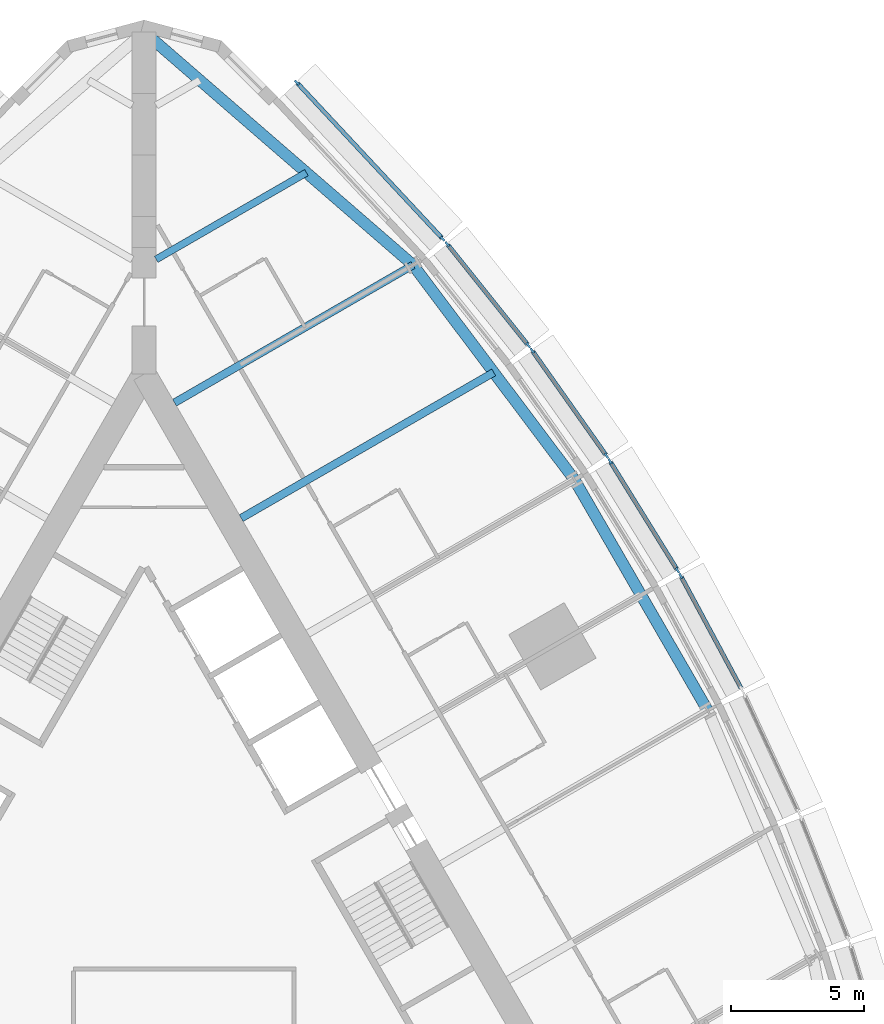
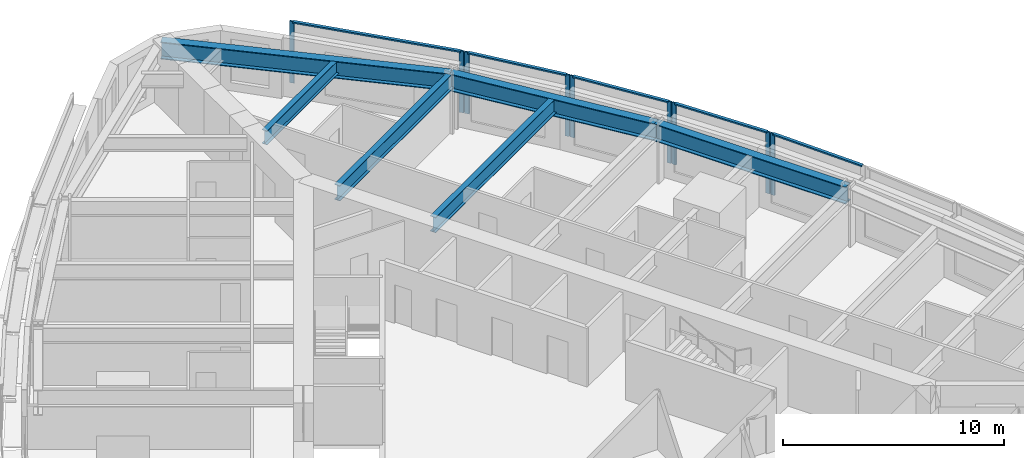
# One storey, part 5 of 14: 14 members, 6 beams, 5 elements without a shape of their own.
"""IFC4 building model written with IfcOpenShell, lengths in metres."""

import ifcopenshell
import ifcopenshell.guid

model = None  # the IFC model being written
_history = None  # IfcOwnerHistory: only IFC2X3 demands one
_inside = {}  # id of a spatial element -> (the spatial element, [elements in it])
_under = {}  # id of a project, library or spatial element -> (it, [spatial elements below it])
_declared = {}  # id of a project -> (the project, [libraries it declares])
_typed = {}  # id of a type object -> (the type object, [elements of that type])
_made_of = {}  # id of a material, layer set ... -> (it, [elements and type objects made of it])


def new_model(schema):
    """Start an empty IFC model of exactly this schema.

    Asked for "IFC4X3", IfcOpenShell would pick the latest addendum, in which some entities
    have other attributes; the version numbers below select the first issue.
    IFC2X3 requires an IfcOwnerHistory on every rooted entity: one is made here for all.
    """
    global model, _history
    if schema == "IFC4X3":
        model = ifcopenshell.file(schema_version=(4, 3, 0, 0))
    else:
        model = ifcopenshell.file(schema=schema)
    _inside.clear()
    _under.clear()
    _declared.clear()
    _typed.clear()
    _made_of.clear()
    _history = None
    if model.schema == "IFC2X3":
        org = make("IfcOrganization", Name="unknown")
        user = make(
            "IfcPersonAndOrganization",
            ThePerson=make("IfcPerson", FamilyName="unknown"),
            TheOrganization=org,
        )
        app = make(
            "IfcApplication",
            ApplicationDeveloper=org,
            Version="unknown",
            ApplicationFullName="unknown",
            ApplicationIdentifier="unknown",
        )
        _history = make(
            "IfcOwnerHistory",
            OwningUser=user,
            OwningApplication=app,
            ChangeAction="ADDED",
            CreationDate=0,
        )
    return model


def make(cls, **values):
    """One entity of the class cls with the attributes given. An attribute that is None is left unset."""
    return model.create_entity(
        cls, **{name: value for name, value in values.items() if value is not None}
    )


def rooted(cls, **values):
    """An entity with a GlobalId (a new one), such as an element, a storey or a relation."""
    return make(cls, GlobalId=ifcopenshell.guid.new(), OwnerHistory=_history, **values)


def si_unit(unit_type, name, prefix=None):
    """IfcSIUnit, for example si_unit("LENGTHUNIT", "METRE", prefix="MILLI")."""
    return make("IfcSIUnit", UnitType=unit_type, Prefix=prefix, Name=name)


def assignment(units):
    """IfcUnitAssignment: the units of a project."""
    return None if units is None else make("IfcUnitAssignment", Units=units)


def point(xyz):
    """IfcCartesianPoint."""
    return None if xyz is None else make("IfcCartesianPoint", Coordinates=xyz)


def direction(xyz):
    """IfcDirection."""
    return None if xyz is None else make("IfcDirection", DirectionRatios=xyz)


def frame(location, z_axis=None, x_axis=None):
    """IfcAxis2Placement3D, a coordinate frame: its origin and axes. An axis left out is left unset."""
    return make(
        "IfcAxis2Placement3D",
        Location=point(location),
        Axis=direction(z_axis),
        RefDirection=direction(x_axis),
    )


def frame_2d(location, x_axis=None):
    """IfcAxis2Placement2D, a coordinate frame in the plane: its origin and x axis."""
    return make(
        "IfcAxis2Placement2D", Location=point(location), RefDirection=direction(x_axis)
    )


def origin():
    """The frame at (0, 0, 0) with its axes left unset."""
    return frame((0.0, 0.0, 0.0))


def origin_2d():
    """The frame at (0, 0) in the plane with its x axis left unset."""
    return frame_2d((0.0, 0.0))


def place(relative_to, where):
    """IfcLocalPlacement: puts the frame where relative to a parent placement (None: the world)."""
    return make(
        "IfcLocalPlacement", PlacementRelTo=relative_to, RelativePlacement=where
    )


def context(
    kind, dimensions, precision=None, world=None, true_north=None, identifier=None
):
    """IfcGeometricRepresentationContext, for example the 3D "Model" context."""
    return make(
        "IfcGeometricRepresentationContext",
        ContextIdentifier=identifier,
        ContextType=kind,
        CoordinateSpaceDimension=dimensions,
        Precision=precision,
        WorldCoordinateSystem=world,
        TrueNorth=true_north,
    )


def subcontext(parent, identifier, kind, view, scale=None):
    """IfcGeometricRepresentationSubContext, for example "Body" below "Model"."""
    return make(
        "IfcGeometricRepresentationSubContext",
        ContextIdentifier=identifier,
        ContextType=kind,
        ParentContext=parent,
        TargetScale=scale,
        TargetView=view,
    )


def project(units=None, contexts=None):
    """IfcProject with its units and contexts."""
    return rooted(
        "IfcProject",
        Name="project",
        RepresentationContexts=contexts,
        UnitsInContext=assignment(units),
    )


def spatial(cls, under=None, at=None, **own):
    """A site, building, storey or space (cls), placed at a placement, below another one or the project."""
    s = rooted(cls, ObjectPlacement=at, **own)
    if under is not None:
        _under.setdefault(under.id(), (under, []))[1].append(s)
    return s


def profile(cls, at=None, kind="AREA", **sizes):
    """A parametric profile (cls). Its sizes go by their IFC names, for example OverallWidth=200.0."""
    return make(cls, ProfileType=kind, Position=at, **sizes)


def rectangle(**sizes):
    """IfcRectangleProfileDef."""
    return profile("IfcRectangleProfileDef", **sizes)


def i_section(**sizes):
    """IfcIShapeProfileDef."""
    return profile("IfcIShapeProfileDef", **sizes)


def extrude(swept, where, along, depth):
    """IfcExtrudedAreaSolid: the profile swept, set in the frame where, extruded along a direction by depth."""
    return make(
        "IfcExtrudedAreaSolid",
        SweptArea=swept,
        Position=where,
        ExtrudedDirection=direction(along),
        Depth=depth,
    )


def shape(context_of_items, identifier, shape_type, items):
    """IfcShapeRepresentation: the items that make up one representation, for example the "Body"."""
    return make(
        "IfcShapeRepresentation",
        ContextOfItems=context_of_items,
        RepresentationIdentifier=identifier,
        RepresentationType=shape_type,
        Items=items,
    )


def material(Name=None, Category=None):
    """IfcMaterial."""
    return make("IfcMaterial", Name=Name, Category=Category)


def material_profile(
    of_material, cross_section, Name=None, Category=None, Priority=None
):
    """IfcMaterialProfile: a cross section and its material."""
    return make(
        "IfcMaterialProfile",
        Name=Name,
        Material=of_material,
        Profile=cross_section,
        Priority=Priority,
        Category=Category,
    )


def profile_set(profiles, Name=None, composite=None):
    """IfcMaterialProfileSet."""
    return make(
        "IfcMaterialProfileSet",
        Name=Name,
        MaterialProfiles=profiles,
        CompositeProfile=composite,
    )


def made_of(thing, what):
    """Note that an element or type object is made of a material, layer set ...; save() writes the relation."""
    if what is not None:
        _made_of.setdefault(what.id(), (what, []))[1].append(thing)
    return thing


def type_object(cls, material=None, **own):
    """A type object (cls), such as IfcWallType, which elements share."""
    return made_of(rooted(cls, **own), material)


def element(
    cls,
    number,
    at=None,
    inside=None,
    cuts=None,
    type_object=None,
    material=None,
    context=None,
    identifier="Body",
    shape_type=None,
    held_by="IfcProductDefinitionShape",
    body=None,
    shapes=None,
    **own,
):
    """One element of the class cls, such as IfcWall. Its Tag is "e" and its number.

    at: its placement. inside: the storey or other place that contains it. cuts: it is an
    opening in that element (IfcRelVoidsElement). A single representation is given by context,
    identifier, shape_type and body (its items); several are given by shapes. held_by: the class
    of the entity that holds the representations. save() writes the other relations.
    """
    e = rooted(cls, Tag="e%d" % number, ObjectPlacement=at, **own)
    if body is not None:
        shapes = [shape(context, identifier, shape_type, body)]
    if shapes is not None:
        e.Representation = make(held_by, Representations=shapes)
    if inside is not None:
        _inside.setdefault(inside.id(), (inside, []))[1].append(e)
    if cuts is not None:
        rooted(
            "IfcRelVoidsElement", RelatingBuildingElement=cuts, RelatedOpeningElement=e
        )
    if type_object is not None:
        _typed.setdefault(type_object.id(), (type_object, []))[1].append(e)
    return made_of(e, material)


def aggregate(whole, parts):
    """IfcRelAggregates: a whole, such as a stair, and the parts it consists of."""
    return rooted("IfcRelAggregates", RelatingObject=whole, RelatedObjects=parts)


def save(model, path):
    """Write the relations noted so far, then the file.

    IfcRelAggregates (storeys below a building ...), IfcRelContainedInSpatialStructure (elements
    in a storey), IfcRelDefinesByType, IfcRelAssociatesMaterial and IfcRelDeclares: one each for
    every whole, place, type object, material and project.
    """
    for whole, parts in _under.values():
        aggregate(whole, parts)
    for where, things in _inside.values():
        rooted(
            "IfcRelContainedInSpatialStructure",
            RelatedElements=things,
            RelatingStructure=where,
        )
    for kind, things in _typed.values():
        rooted("IfcRelDefinesByType", RelatedObjects=things, RelatingType=kind)
    for what, things in _made_of.values():
        rooted("IfcRelAssociatesMaterial", RelatedObjects=things, RelatingMaterial=what)
    for by, libraries in _declared.values():
        rooted("IfcRelDeclares", RelatingContext=by, RelatedDefinitions=libraries)
    model.write(path)


model = new_model("IFC4")

# Units and contexts
model_context = context("Model", 3, precision=1e-05, world=origin(), true_north=direction((0.0, 1.0)))
body_context = subcontext(model_context, "Body", "Model", "MODEL_VIEW")
ifc_project = project(units=[si_unit("LENGTHUNIT", "METRE"), si_unit("AREAUNIT", "SQUARE_METRE"), si_unit("VOLUMEUNIT", "CUBIC_METRE"), si_unit("PLANEANGLEUNIT", "RADIAN"), si_unit("MASSUNIT", "GRAM", prefix="KILO")], contexts=[model_context])

# Site, building, storey
site_placement = place(None, origin())
site = spatial("IfcSite", under=ifc_project, at=site_placement, CompositionType="ELEMENT")
building_placement = place(site_placement, origin())
building = spatial("IfcBuilding", under=site, at=building_placement, Name="Trikona Tower", CompositionType="ELEMENT")
storey_placement = place(building_placement, frame((0.0, 0.0, 79.5)))
storey = spatial("IfcBuildingStorey", under=building, at=storey_placement, Name="L20", CompositionType="ELEMENT", Elevation=79.5)

# Curtain wall, member
ifc_material_1 = material(Name="Aluminium curtain wall system", Category="aluminium")
curtain_wall_type = type_object("IfcCurtainWallType", Name="Curtain wall DS1", PredefinedType="NOTDEFINED", material=ifc_material_1)
curtain_wall_1_placement = place(storey_placement, origin())
curtain_wall_1 = element("IfcCurtainWall", 1, at=curtain_wall_1_placement, inside=storey, type_object=curtain_wall_type, Name="Curtain wall DS1 L20", PredefinedType="NOTDEFINED")
ifc_material_2 = material(Name="Aluminium mullion, pale anodised", Category="aluminium")
ifc_material_profile_1 = material_profile(ifc_material_2, rectangle(XDim=0.080078125, YDim=0.219970703125, at=origin_2d()), Name="MUL-DS1")
ifc_profile_set_1 = profile_set([ifc_material_profile_1], Name="Aluminium mullion, pale anodised")
member_type_1 = type_object("IfcMemberType", Name="Mullion DS1 80x220", PredefinedType="MULLION", material=ifc_profile_set_1)
member_1_placement = place(storey_placement, frame((20.128662109375, 11.474365234375, 0.0), z_axis=(0.0, 0.0, 1.0), x_axis=(-0.880843080975, -0.473408350896, 0.0)))
member_1 = element("IfcMember", 2, at=member_1_placement, type_object=member_type_1, Name="CW-DS1 mullion 2", PredefinedType="MULLION", context=body_context, shape_type="SweptSolid", body=[
    extrude(rectangle(XDim=0.080078125, YDim=0.219970703125, at=origin_2d()), origin(), (0.0, 0.0, 1.0), 3.39990234375),
])

# Curtain wall, members
curtain_wall_2_placement = place(storey_placement, origin())
curtain_wall_2 = element("IfcCurtainWall", 3, at=curtain_wall_2_placement, inside=storey, type_object=curtain_wall_type, Name="Curtain wall DS1 L20", PredefinedType="NOTDEFINED")
member_2_placement = place(storey_placement, frame((20.00146484375, 11.69482421875, 0.0), z_axis=(0.0, 0.0, 1.0), x_axis=(-0.850410468941, -0.526119790842, 0.0)))
member_2 = element("IfcMember", 4, at=member_2_placement, type_object=member_type_1, Name="CW-DS1 mullion 1", PredefinedType="MULLION", context=body_context, shape_type="SweptSolid", body=[
    extrude(rectangle(XDim=0.080078125, YDim=0.219970703125, at=origin_2d()), origin(), (0.0, 0.0, 1.0), 3.39990234375),
])
member_3_placement = place(storey_placement, frame((17.474853515625, 15.77880859375, 0.0), z_axis=(0.0, 0.0, 1.0), x_axis=(-0.850410468941, -0.526119790842, 0.0)))
member_3 = element("IfcMember", 5, at=member_3_placement, type_object=member_type_1, Name="CW-DS1 mullion 2", PredefinedType="MULLION", context=body_context, shape_type="SweptSolid", body=[
    extrude(rectangle(XDim=0.080078125, YDim=0.219970703125, at=origin_2d()), origin(), (0.0, 0.0, 1.0), 3.39990234375),
])

curtain_wall_3_placement = place(storey_placement, origin())
curtain_wall_3 = element("IfcCurtainWall", 6, at=curtain_wall_3_placement, inside=storey, type_object=curtain_wall_type, Name="Curtain wall DS1 L20", PredefinedType="NOTDEFINED")
member_4_placement = place(storey_placement, frame((17.33447265625, 15.990966796875, 0.0), z_axis=(0.0, 0.0, 1.0), x_axis=(-0.816985393055, -0.576658362928, 0.0)))
member_4 = element("IfcMember", 7, at=member_4_placement, type_object=member_type_1, Name="CW-DS1 mullion 1", PredefinedType="MULLION", context=body_context, shape_type="SweptSolid", body=[
    extrude(rectangle(XDim=0.080078125, YDim=0.219970703125, at=origin_2d()), origin(), (0.0, 0.0, 1.0), 3.39990234375),
])
member_5_placement = place(storey_placement, frame((14.554443359375, 19.929443359375, 0.0), z_axis=(0.0, 0.0, 1.0), x_axis=(-0.816985393055, -0.576658362928, 0.0)))
member_5 = element("IfcMember", 8, at=member_5_placement, type_object=member_type_1, Name="CW-DS1 mullion 2", PredefinedType="MULLION", context=body_context, shape_type="SweptSolid", body=[
    extrude(rectangle(XDim=0.080078125, YDim=0.219970703125, at=origin_2d()), origin(), (0.0, 0.0, 1.0), 3.39990234375),
])

curtain_wall_4_placement = place(storey_placement, origin())
curtain_wall_4 = element("IfcCurtainWall", 9, at=curtain_wall_4_placement, inside=storey, type_object=curtain_wall_type, Name="Curtain wall DS1 L20", PredefinedType="NOTDEFINED")
member_6_placement = place(storey_placement, frame((14.40185546875, 20.13232421875, 0.0), z_axis=(0.0, 0.0, 1.0), x_axis=(-0.780937959679, -0.624608599951, 0.0)))
member_6 = element("IfcMember", 10, at=member_6_placement, type_object=member_type_1, Name="CW-DS1 mullion 1", PredefinedType="MULLION", context=body_context, shape_type="SweptSolid", body=[
    extrude(rectangle(XDim=0.080078125, YDim=0.219970703125, at=origin_2d()), origin(), (0.0, 0.0, 1.0), 3.39990234375),
])
member_7_placement = place(storey_placement, frame((11.36767578125, 23.926025390625, 0.0), z_axis=(0.0, 0.0, 1.0), x_axis=(-0.780937959679, -0.624608599951, 0.0)))
member_7 = element("IfcMember", 11, at=member_7_placement, type_object=member_type_1, Name="CW-DS1 mullion 2", PredefinedType="MULLION", context=body_context, shape_type="SweptSolid", body=[
    extrude(rectangle(XDim=0.080078125, YDim=0.219970703125, at=origin_2d()), origin(), (0.0, 0.0, 1.0), 3.39990234375),
])

curtain_wall_5_placement = place(storey_placement, origin())
curtain_wall_5 = element("IfcCurtainWall", 12, at=curtain_wall_5_placement, inside=storey, type_object=curtain_wall_type, Name="Curtain wall DS1 L20", PredefinedType="NOTDEFINED")
member_8_placement = place(storey_placement, frame((11.192138671875, 24.129150390625, 0.0), z_axis=(0.0, 0.0, 1.0), x_axis=(-0.731076639405, -0.682295351967, 0.0)))
member_8 = element("IfcMember", 13, at=member_8_placement, type_object=member_type_1, Name="CW-DS1 mullion 1", PredefinedType="MULLION", context=body_context, shape_type="SweptSolid", body=[
    extrude(rectangle(XDim=0.080078125, YDim=0.219970703125, at=origin_2d()), origin(), (0.0, 0.0, 1.0), 3.39990234375),
])
member_9_placement = place(storey_placement, frame((5.72607421875, 29.98583984375, 0.0), z_axis=(0.0, 0.0, 1.0), x_axis=(-0.731076639405, -0.682295351967, 0.0)))
member_9 = element("IfcMember", 14, at=member_9_placement, type_object=member_type_1, Name="CW-DS1 mullion 2", PredefinedType="MULLION", context=body_context, shape_type="SweptSolid", body=[
    extrude(rectangle(XDim=0.080078125, YDim=0.219970703125, at=origin_2d()), origin(), (0.0, 0.0, 1.0), 3.39990234375),
])

# Beams
ifc_material_3 = material(Name="Steel ASTM A992 Grade 50", Category="steel")
ifc_material_profile_2 = material_profile(ifc_material_3, i_section(OverallWidth=0.2666015625, OverallDepth=0.76953125, WebThickness=0.015625, FlangeThickness=0.025390625, at=origin_2d()), Name="W30X132")
ifc_profile_set_2 = profile_set([ifc_material_profile_2], Name="Steel ASTM A992 Grade 50")
beam_type_1 = type_object("IfcBeamType", Name="Steel beam W30x132 (wedge)", PredefinedType="BEAM", material=ifc_profile_set_2)
beam_1_placement = place(storey_placement, frame((0.449951171875, 23.353759765625, 2.85009765625), z_axis=(0.866022504693, 0.50000502134, 0.0), x_axis=(-0.50000502134, 0.866022504693, 0.0)))
element("IfcBeam", 15, at=beam_1_placement, inside=storey, type_object=beam_type_1, Name="Floor beam L21 F2 u20", PredefinedType="BEAM", context=body_context, shape_type="SweptSolid", body=[
    extrude(i_section(OverallWidth=0.2666015625, OverallDepth=0.76953125, WebThickness=0.015625, FlangeThickness=0.025390625, at=origin_2d()), origin(), (0.0, 0.0, 1.0), 6.5068359375),
])
ifc_material_4 = material(Name="Steel ASTM A992 Grade 50", Category="steel")
ifc_material_profile_3 = material_profile(ifc_material_4, i_section(OverallWidth=0.2919921875, OverallDepth=0.845703125, WebThickness=0.015380859375, FlangeThickness=0.0244140625, at=origin_2d()), Name="W33X141")
ifc_profile_set_3 = profile_set([ifc_material_profile_3], Name="Steel ASTM A992 Grade 50")
beam_type_2 = type_object("IfcBeamType", Name="Steel beam W33x141 (radial typ)", PredefinedType="BEAM", material=ifc_profile_set_3)
beam_2_placement = place(storey_placement, frame((3.6396484375, 13.6484375, 2.81201171875), z_axis=(0.866025348605, 0.500000095573, 0.0), x_axis=(-0.500000095573, 0.866025348605, 0.0)))
element("IfcBeam", 16, at=beam_2_placement, inside=storey, type_object=beam_type_2, Name="Floor beam L21 F2 u10", PredefinedType="BEAM", context=body_context, shape_type="SweptSolid", body=[
    extrude(i_section(OverallWidth=0.2919921875, OverallDepth=0.845703125, WebThickness=0.015380859375, FlangeThickness=0.0244140625, at=origin_2d()), origin(), (0.0, 0.0, 1.0), 10.935546875),
])
beam_3_placement = place(storey_placement, frame((1.1396484375, 17.978515625, 2.81201171875), z_axis=(0.866030471684, 0.499991222037, 0.0), x_axis=(-0.499991222037, 0.866030471684, 0.0)))
element("IfcBeam", 17, at=beam_3_placement, inside=storey, type_object=beam_type_2, Name="Floor beam L21 F2 u15", PredefinedType="BEAM", context=body_context, shape_type="SweptSolid", body=[
    extrude(i_section(OverallWidth=0.2919921875, OverallDepth=0.845703125, WebThickness=0.015380859375, FlangeThickness=0.0244140625, at=origin_2d()), origin(), (0.0, 0.0, 1.0), 10.326904296875),
])
ifc_material_5 = material(Name="Steel ASTM A992 Grade 50", Category="steel")
ifc_material_profile_4 = material_profile(ifc_material_5, i_section(OverallWidth=0.424072265625, OverallDepth=0.947509765625, WebThickness=0.02392578125, FlangeThickness=0.042724609375, at=origin_2d()), Name="W36X302")
ifc_profile_set_4 = profile_set([ifc_material_profile_4], Name="Steel ASTM A992 Grade 50")
beam_type_3 = type_object("IfcBeamType", Name="Steel beam W36x302 (spandrel)", PredefinedType="SPANDREL", material=ifc_profile_set_4)
beam_4_placement = place(storey_placement, frame((21.13720703125, 6.43017578125, 2.76123046875), z_axis=(-0.500004234368, 0.866022959057, 0.0), x_axis=(-0.866022959057, -0.500004234368, 0.0)))
element("IfcBeam", 18, at=beam_4_placement, inside=storey, type_object=beam_type_3, Name="Spandrel beam L21 F2-3", PredefinedType="SPANDREL", context=body_context, shape_type="SweptSolid", body=[
    extrude(i_section(OverallWidth=0.424072265625, OverallDepth=0.947509765625, WebThickness=0.02392578125, FlangeThickness=0.042724609375, at=origin_2d()), origin(), (0.0, 0.0, 1.0), 10.0),
])
beam_5_placement = place(storey_placement, frame((16.13720703125, 15.09033203125, 2.76123046875), z_axis=(-0.600988344191, 0.799257787042, 0.0), x_axis=(-0.799257787042, -0.600988344191, 0.0)))
element("IfcBeam", 19, at=beam_5_placement, inside=storey, type_object=beam_type_3, Name="Spandrel beam L21 F2-4", PredefinedType="SPANDREL", context=body_context, shape_type="SweptSolid", body=[
    extrude(i_section(OverallWidth=0.424072265625, OverallDepth=0.947509765625, WebThickness=0.02392578125, FlangeThickness=0.042724609375, at=origin_2d()), origin(), (0.0, 0.0, 1.0), 10.07373046875),
])
beam_6_placement = place(storey_placement, frame((10.0830078125, 23.141845703125, 2.76123046875), z_axis=(-0.755646822726, 0.654979296851, 0.0), x_axis=(-0.654979296851, -0.755646822726, 0.0)))
element("IfcBeam", 20, at=beam_6_placement, inside=storey, type_object=beam_type_3, Name="Spandrel beam L21 F2-5", PredefinedType="SPANDREL", context=body_context, shape_type="SweptSolid", body=[
    extrude(i_section(OverallWidth=0.424072265625, OverallDepth=0.947509765625, WebThickness=0.02392578125, FlangeThickness=0.042724609375, at=origin_2d()), origin(), (0.0, 0.0, 1.0), 13.343505859375),
])

# Member
ifc_material_6 = material(Name="Aluminium transom, pale anodised", Category="aluminium")
ifc_material_profile_5 = material_profile(ifc_material_6, rectangle(XDim=0.159912109375, YDim=0.080078125, at=origin_2d()), Name="TRN-DS1")
ifc_profile_set_5 = profile_set([ifc_material_profile_5], Name="Aluminium transom, pale anodised")
member_type_2 = type_object("IfcMemberType", Name="Transom DS1 80x160", PredefinedType="USERDEFINED", material=ifc_profile_set_5)
member_10_placement = place(storey_placement, frame((22.38330078125, 7.279541015625, 3.360107421875), z_axis=(-0.473427569755, 0.880832751546, 0.0), x_axis=(-0.880832751546, -0.473427569755, 0.0)))
member_10 = element("IfcMember", 21, at=member_10_placement, type_object=member_type_2, Name="CW-DS1 transom 1.1", ObjectType="TRANSOM", PredefinedType="USERDEFINED", context=body_context, shape_type="SweptSolid", body=[
    extrude(rectangle(XDim=0.159912109375, YDim=0.080078125, at=origin_2d()), origin(), (0.0, 0.0, 1.0), 4.72216796875),
])

aggregate(curtain_wall_1, [member_1, member_10])

member_11_placement = place(storey_placement, frame((19.980224609375, 11.728759765625, 3.360107421875), z_axis=(-0.526080502257, 0.850434774186, 0.0), x_axis=(-0.850434774186, -0.526080502257, 0.0)))
member_11 = element("IfcMember", 22, at=member_11_placement, type_object=member_type_2, Name="CW-DS1 transom 1.1", ObjectType="TRANSOM", PredefinedType="USERDEFINED", context=body_context, shape_type="SweptSolid", body=[
    extrude(rectangle(XDim=0.159912109375, YDim=0.080078125, at=origin_2d()), origin(), (0.0, 0.0, 1.0), 4.722412109375),
])

aggregate(curtain_wall_2, [member_2, member_3, member_11])

member_12_placement = place(storey_placement, frame((17.311279296875, 16.023681640625, 3.360107421875), z_axis=(-0.57664478015, 0.816994980111, 0.0), x_axis=(-0.816994980111, -0.57664478015, 0.0)))
member_12 = element("IfcMember", 23, at=member_12_placement, type_object=member_type_2, Name="CW-DS1 transom 1.1", ObjectType="TRANSOM", PredefinedType="USERDEFINED", context=body_context, shape_type="SweptSolid", body=[
    extrude(rectangle(XDim=0.159912109375, YDim=0.080078125, at=origin_2d()), origin(), (0.0, 0.0, 1.0), 4.740478515625),
])

aggregate(curtain_wall_3, [member_4, member_5, member_12])

member_13_placement = place(storey_placement, frame((14.376953125, 20.16357421875, 3.360107421875), z_axis=(-0.624589103832, 0.780953552636, 0.0), x_axis=(-0.780953552636, -0.624589103832, 0.0)))
member_13 = element("IfcMember", 24, at=member_13_placement, type_object=member_type_2, Name="CW-DS1 transom 1.1", ObjectType="TRANSOM", PredefinedType="USERDEFINED", context=body_context, shape_type="SweptSolid", body=[
    extrude(rectangle(XDim=0.159912109375, YDim=0.080078125, at=origin_2d()), origin(), (0.0, 0.0, 1.0), 4.77783203125),
])

aggregate(curtain_wall_4, [member_6, member_7, member_13])

member_14_placement = place(storey_placement, frame((11.164794921875, 24.158203125, 3.360107421875), z_axis=(-0.682290830921, 0.731080858758, 0.0), x_axis=(-0.731080858758, -0.682290830921, 0.0)))
member_14 = element("IfcMember", 25, at=member_14_placement, type_object=member_type_2, Name="CW-DS1 transom 1.1", ObjectType="TRANSOM", PredefinedType="USERDEFINED", context=body_context, shape_type="SweptSolid", body=[
    extrude(rectangle(XDim=0.159912109375, YDim=0.080078125, at=origin_2d()), origin(), (0.0, 0.0, 1.0), 7.93115234375),
])

aggregate(curtain_wall_5, [member_8, member_9, member_14])

save(model, "model.ifc")
